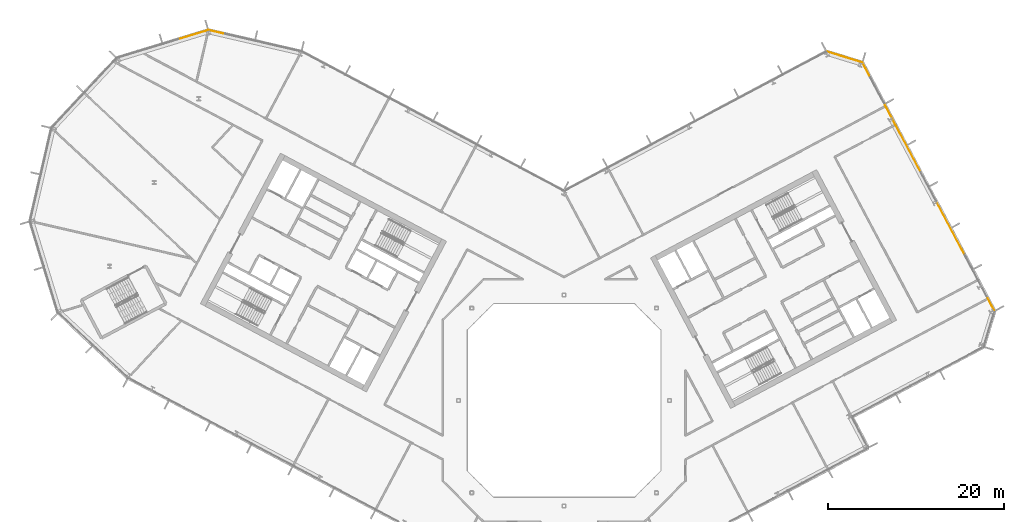
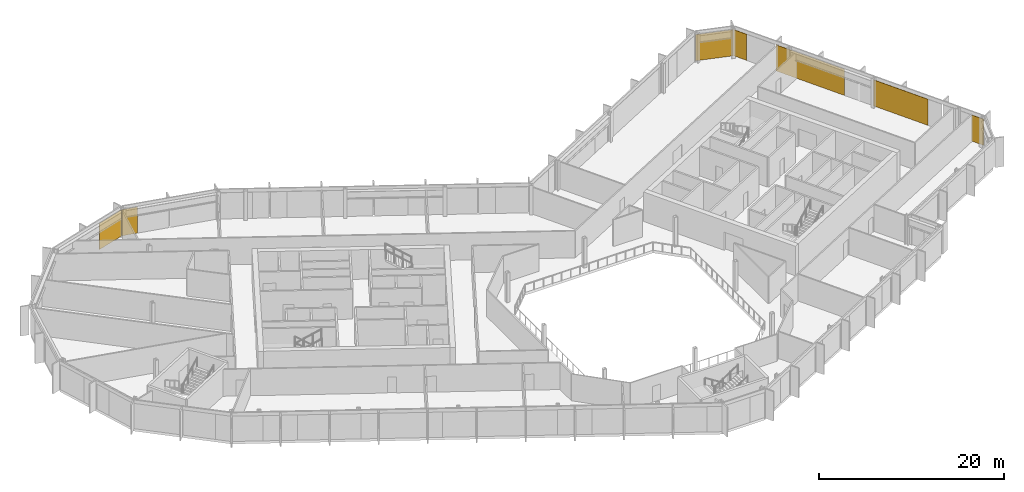
# One storey, part 27 of 27: 7 coverings, 4 elements without a shape of their own.
"""IFC4 building model written with IfcOpenShell, lengths in metres."""

import ifcopenshell
import ifcopenshell.guid

model = None  # the IFC model being written
_history = None  # IfcOwnerHistory: only IFC2X3 demands one
_inside = {}  # id of a spatial element -> (the spatial element, [elements in it])
_under = {}  # id of a project, library or spatial element -> (it, [spatial elements below it])
_declared = {}  # id of a project -> (the project, [libraries it declares])
_typed = {}  # id of a type object -> (the type object, [elements of that type])
_made_of = {}  # id of a material, layer set ... -> (it, [elements and type objects made of it])


def new_model(schema):
    """Start an empty IFC model of exactly this schema.

    Asked for "IFC4X3", IfcOpenShell would pick the latest addendum, in which some entities
    have other attributes; the version numbers below select the first issue.
    IFC2X3 requires an IfcOwnerHistory on every rooted entity: one is made here for all.
    """
    global model, _history
    if schema == "IFC4X3":
        model = ifcopenshell.file(schema_version=(4, 3, 0, 0))
    else:
        model = ifcopenshell.file(schema=schema)
    _inside.clear()
    _under.clear()
    _declared.clear()
    _typed.clear()
    _made_of.clear()
    _history = None
    if model.schema == "IFC2X3":
        org = make("IfcOrganization", Name="unknown")
        user = make(
            "IfcPersonAndOrganization",
            ThePerson=make("IfcPerson", FamilyName="unknown"),
            TheOrganization=org,
        )
        app = make(
            "IfcApplication",
            ApplicationDeveloper=org,
            Version="unknown",
            ApplicationFullName="unknown",
            ApplicationIdentifier="unknown",
        )
        _history = make(
            "IfcOwnerHistory",
            OwningUser=user,
            OwningApplication=app,
            ChangeAction="ADDED",
            CreationDate=0,
        )
    return model


def make(cls, **values):
    """One entity of the class cls with the attributes given. An attribute that is None is left unset."""
    return model.create_entity(
        cls, **{name: value for name, value in values.items() if value is not None}
    )


def rooted(cls, **values):
    """An entity with a GlobalId (a new one), such as an element, a storey or a relation."""
    return make(cls, GlobalId=ifcopenshell.guid.new(), OwnerHistory=_history, **values)


def si_unit(unit_type, name, prefix=None):
    """IfcSIUnit, for example si_unit("LENGTHUNIT", "METRE", prefix="MILLI")."""
    return make("IfcSIUnit", UnitType=unit_type, Prefix=prefix, Name=name)


def assignment(units):
    """IfcUnitAssignment: the units of a project."""
    return None if units is None else make("IfcUnitAssignment", Units=units)


def point(xyz):
    """IfcCartesianPoint."""
    return None if xyz is None else make("IfcCartesianPoint", Coordinates=xyz)


def direction(xyz):
    """IfcDirection."""
    return None if xyz is None else make("IfcDirection", DirectionRatios=xyz)


def frame(location, z_axis=None, x_axis=None):
    """IfcAxis2Placement3D, a coordinate frame: its origin and axes. An axis left out is left unset."""
    return make(
        "IfcAxis2Placement3D",
        Location=point(location),
        Axis=direction(z_axis),
        RefDirection=direction(x_axis),
    )


def frame_2d(location, x_axis=None):
    """IfcAxis2Placement2D, a coordinate frame in the plane: its origin and x axis."""
    return make(
        "IfcAxis2Placement2D", Location=point(location), RefDirection=direction(x_axis)
    )


def origin():
    """The frame at (0, 0, 0) with its axes left unset."""
    return frame((0.0, 0.0, 0.0))


def origin_2d():
    """The frame at (0, 0) in the plane with its x axis left unset."""
    return frame_2d((0.0, 0.0))


def place(relative_to, where):
    """IfcLocalPlacement: puts the frame where relative to a parent placement (None: the world)."""
    return make(
        "IfcLocalPlacement", PlacementRelTo=relative_to, RelativePlacement=where
    )


def context(
    kind, dimensions, precision=None, world=None, true_north=None, identifier=None
):
    """IfcGeometricRepresentationContext, for example the 3D "Model" context."""
    return make(
        "IfcGeometricRepresentationContext",
        ContextIdentifier=identifier,
        ContextType=kind,
        CoordinateSpaceDimension=dimensions,
        Precision=precision,
        WorldCoordinateSystem=world,
        TrueNorth=true_north,
    )


def subcontext(parent, identifier, kind, view, scale=None):
    """IfcGeometricRepresentationSubContext, for example "Body" below "Model"."""
    return make(
        "IfcGeometricRepresentationSubContext",
        ContextIdentifier=identifier,
        ContextType=kind,
        ParentContext=parent,
        TargetScale=scale,
        TargetView=view,
    )


def project(units=None, contexts=None):
    """IfcProject with its units and contexts."""
    return rooted(
        "IfcProject",
        Name="project",
        RepresentationContexts=contexts,
        UnitsInContext=assignment(units),
    )


def spatial(cls, under=None, at=None, **own):
    """A site, building, storey or space (cls), placed at a placement, below another one or the project."""
    s = rooted(cls, ObjectPlacement=at, **own)
    if under is not None:
        _under.setdefault(under.id(), (under, []))[1].append(s)
    return s


def profile(cls, at=None, kind="AREA", **sizes):
    """A parametric profile (cls). Its sizes go by their IFC names, for example OverallWidth=200.0."""
    return make(cls, ProfileType=kind, Position=at, **sizes)


def rectangle(**sizes):
    """IfcRectangleProfileDef."""
    return profile("IfcRectangleProfileDef", **sizes)


def extrude(swept, where, along, depth):
    """IfcExtrudedAreaSolid: the profile swept, set in the frame where, extruded along a direction by depth."""
    return make(
        "IfcExtrudedAreaSolid",
        SweptArea=swept,
        Position=where,
        ExtrudedDirection=direction(along),
        Depth=depth,
    )


def shape(context_of_items, identifier, shape_type, items):
    """IfcShapeRepresentation: the items that make up one representation, for example the "Body"."""
    return make(
        "IfcShapeRepresentation",
        ContextOfItems=context_of_items,
        RepresentationIdentifier=identifier,
        RepresentationType=shape_type,
        Items=items,
    )


def material(Name=None, Category=None):
    """IfcMaterial."""
    return make("IfcMaterial", Name=Name, Category=Category)


def layer(
    of_material, thickness, ventilated=None, Name=None, Category=None, Priority=None
):
    """IfcMaterialLayer: one layer of a wall or slab, of a material (None: an air gap)."""
    return make(
        "IfcMaterialLayer",
        Material=of_material,
        LayerThickness=thickness,
        IsVentilated=ventilated,
        Name=Name,
        Category=Category,
        Priority=Priority,
    )


def layer_set(layers, Name=None):
    """IfcMaterialLayerSet."""
    return make("IfcMaterialLayerSet", MaterialLayers=layers, LayerSetName=Name)


def made_of(thing, what):
    """Note that an element or type object is made of a material, layer set ...; save() writes the relation."""
    if what is not None:
        _made_of.setdefault(what.id(), (what, []))[1].append(thing)
    return thing


def type_object(cls, material=None, **own):
    """A type object (cls), such as IfcWallType, which elements share."""
    return made_of(rooted(cls, **own), material)


def element(
    cls,
    number,
    at=None,
    inside=None,
    cuts=None,
    type_object=None,
    material=None,
    context=None,
    identifier="Body",
    shape_type=None,
    held_by="IfcProductDefinitionShape",
    body=None,
    shapes=None,
    **own,
):
    """One element of the class cls, such as IfcWall. Its Tag is "e" and its number.

    at: its placement. inside: the storey or other place that contains it. cuts: it is an
    opening in that element (IfcRelVoidsElement). A single representation is given by context,
    identifier, shape_type and body (its items); several are given by shapes. held_by: the class
    of the entity that holds the representations. save() writes the other relations.
    """
    e = rooted(cls, Tag="e%d" % number, ObjectPlacement=at, **own)
    if body is not None:
        shapes = [shape(context, identifier, shape_type, body)]
    if shapes is not None:
        e.Representation = make(held_by, Representations=shapes)
    if inside is not None:
        _inside.setdefault(inside.id(), (inside, []))[1].append(e)
    if cuts is not None:
        rooted(
            "IfcRelVoidsElement", RelatingBuildingElement=cuts, RelatedOpeningElement=e
        )
    if type_object is not None:
        _typed.setdefault(type_object.id(), (type_object, []))[1].append(e)
    return made_of(e, material)


def aggregate(whole, parts):
    """IfcRelAggregates: a whole, such as a stair, and the parts it consists of."""
    return rooted("IfcRelAggregates", RelatingObject=whole, RelatedObjects=parts)


def save(model, path):
    """Write the relations noted so far, then the file.

    IfcRelAggregates (storeys below a building ...), IfcRelContainedInSpatialStructure (elements
    in a storey), IfcRelDefinesByType, IfcRelAssociatesMaterial and IfcRelDeclares: one each for
    every whole, place, type object, material and project.
    """
    for whole, parts in _under.values():
        aggregate(whole, parts)
    for where, things in _inside.values():
        rooted(
            "IfcRelContainedInSpatialStructure",
            RelatedElements=things,
            RelatingStructure=where,
        )
    for kind, things in _typed.values():
        rooted("IfcRelDefinesByType", RelatedObjects=things, RelatingType=kind)
    for what, things in _made_of.values():
        rooted("IfcRelAssociatesMaterial", RelatedObjects=things, RelatingMaterial=what)
    for by, libraries in _declared.values():
        rooted("IfcRelDeclares", RelatingContext=by, RelatedDefinitions=libraries)
    model.write(path)


model = new_model("IFC4")

# Units and contexts
model_context = context("Model", 3, precision=1e-05, world=origin(), true_north=direction((0.0, 1.0)))
body_context = subcontext(model_context, "Body", "Model", "MODEL_VIEW")
ifc_project = project(units=[si_unit("LENGTHUNIT", "METRE"), si_unit("AREAUNIT", "SQUARE_METRE"), si_unit("VOLUMEUNIT", "CUBIC_METRE"), si_unit("PLANEANGLEUNIT", "RADIAN"), si_unit("MASSUNIT", "GRAM", prefix="KILO")], contexts=[model_context])

# Site, building, storey
site_placement = place(None, origin())
site = spatial("IfcSite", under=ifc_project, at=site_placement, CompositionType="ELEMENT")
building_placement = place(site_placement, origin())
building = spatial("IfcBuilding", under=site, at=building_placement, Name="Cormorant Relay Tower", CompositionType="ELEMENT")
storey_placement = place(building_placement, frame((0.0, 0.0, 209.10009765625)))
storey = spatial("IfcBuildingStorey", under=building, at=storey_placement, Name="L45", CompositionType="ELEMENT", Elevation=209.10009765625)

# Curtain wall, coverings
ifc_material_1 = material(Name="Aluminium 6063-T6 anodised bronze", Category="aluminium")
ifc_layer_1 = layer(ifc_material_1, 0.199951171875)
ifc_layer_set_1 = layer_set([ifc_layer_1], Name="CW1 unitised bronze curtain wall with vertical fins")
curtain_wall_type = type_object("IfcCurtainWallType", Name="CW1 unitised bronze curtain wall with vertical fins", PredefinedType="NOTDEFINED", material=ifc_layer_set_1)
curtain_wall_1_placement = place(storey_placement, origin())
curtain_wall_1 = element("IfcCurtainWall", 1, at=curtain_wall_1_placement, inside=storey, type_object=curtain_wall_type, Name="CW1 curtain wall 6", PredefinedType="NOTDEFINED")
ifc_material_2 = material(Name="Pale bronze anodised aluminium insulated panel", Category="aluminium")
ifc_layer_2 = layer(ifc_material_2, 0.0400390625)
ifc_layer_set_2 = layer_set([ifc_layer_2], Name="CW1 pale bronze insulated panel 40")
covering_type = type_object("IfcCoveringType", Name="CW1 pale bronze insulated panel 40", PredefinedType="CLADDING", material=ifc_layer_set_2)
covering_1_placement = place(storey_placement, frame((48.56494140625, 10.947998046875, 0.0), z_axis=(0.0, 0.0, 1.0), x_axis=(-0.469471562786, 0.882947592859, 0.0)))
covering_1 = element("IfcCovering", 2, at=covering_1_placement, type_object=covering_type, Name="CW1 panel S00", PredefinedType="CLADDING", context=body_context, shape_type="SweptSolid", body=[
    extrude(rectangle(XDim=1.583251953125, YDim=0.0400390625, at=origin_2d()), origin(), (0.0, 0.0, 1.0), 3.449951171875),
])
covering_2_placement = place(storey_placement, frame((43.964111328125, 19.600830078125, 0.0), z_axis=(0.0, 0.0, 1.0), x_axis=(-0.469471562786, 0.882947592859, 0.0)))
covering_2 = element("IfcCovering", 3, at=covering_2_placement, type_object=covering_type, Name="CW1 panel S03", PredefinedType="CLADDING", context=body_context, shape_type="SweptSolid", body=[
    extrude(rectangle(XDim=6.916748046875, YDim=0.0400390625, at=origin_2d()), origin(), (0.0, 0.0, 1.0), 3.449951171875),
])
covering_3_placement = place(storey_placement, frame((38.53369140625, 29.813720703125, 0.0), z_axis=(0.0, 0.0, 1.0), x_axis=(-0.469471562786, 0.882947592859, 0.0)))
covering_3 = element("IfcCovering", 4, at=covering_3_placement, type_object=covering_type, Name="CW1 panel S06", PredefinedType="CLADDING", context=body_context, shape_type="SweptSolid", body=[
    extrude(rectangle(XDim=8.716796875, YDim=0.0400390625, at=origin_2d()), origin(), (0.0, 0.0, 1.0), 3.449951171875),
])
covering_4_placement = place(storey_placement, frame((34.337890625, 37.705078125, 0.0), z_axis=(0.0, 0.0, 1.0), x_axis=(-0.469471562786, 0.882947592859, 0.0)))
covering_4 = element("IfcCovering", 5, at=covering_4_placement, type_object=covering_type, Name="CW1 panel S08", PredefinedType="CLADDING", context=body_context, shape_type="SweptSolid", body=[
    extrude(rectangle(XDim=1.658203125, YDim=0.0400390625, at=origin_2d()), origin(), (0.0, 0.0, 1.0), 3.449951171875),
])
aggregate(curtain_wall_1, [covering_1, covering_2, covering_3, covering_4])

# Curtain wall, covering
curtain_wall_2_placement = place(storey_placement, origin())
curtain_wall_2 = element("IfcCurtainWall", 6, at=curtain_wall_2_placement, inside=storey, type_object=curtain_wall_type, Name="CW1 curtain wall 7", PredefinedType="NOTDEFINED")
covering_5_placement = place(storey_placement, frame((31.872314453125, 39.077880859375, 0.0), z_axis=(0.0, 0.0, 1.0), x_axis=(-0.956304755963, 0.292371704723, 0.0)))
covering_5 = element("IfcCovering", 7, at=covering_5_placement, type_object=covering_type, Name="CW1 panel S00", PredefinedType="CLADDING", context=body_context, shape_type="SweptSolid", body=[
    extrude(rectangle(XDim=4.16748046875, YDim=0.0400390625, at=origin_2d()), origin(), (0.0, 0.0, 1.0), 3.449951171875),
])
aggregate(curtain_wall_2, [covering_5])

curtain_wall_3_placement = place(storey_placement, origin())
curtain_wall_3 = element("IfcCurtainWall", 8, at=curtain_wall_3_placement, inside=storey, type_object=curtain_wall_type, Name="CW1 curtain wall 10", PredefinedType="NOTDEFINED")
covering_6_placement = place(storey_placement, frame((-39.603515625, 41.934814453125, 0.0), z_axis=(0.0, 0.0, 1.0), x_axis=(-0.974370064785, 0.224951054344, 0.0)))
covering_6 = element("IfcCovering", 9, at=covering_6_placement, type_object=covering_type, Name="CW1 panel S02", PredefinedType="CLADDING", context=body_context, shape_type="SweptSolid", body=[
    extrude(rectangle(XDim=1.76025390625, YDim=0.0400390625, at=origin_2d()), origin(), (0.0, 0.0, 1.0), 3.449951171875),
])
aggregate(curtain_wall_3, [covering_6])

curtain_wall_4_placement = place(storey_placement, origin())
curtain_wall_4 = element("IfcCurtainWall", 10, at=curtain_wall_4_placement, inside=storey, type_object=curtain_wall_type, Name="CW1 curtain wall 11", PredefinedType="NOTDEFINED")
covering_7_placement = place(storey_placement, frame((-42.209716796875, 41.60107421875, 0.0), z_axis=(0.0, 0.0, 1.0), x_axis=(-0.956304755963, -0.292371704723, 0.0)))
covering_7 = element("IfcCovering", 11, at=covering_7_placement, type_object=covering_type, Name="CW1 panel S00", PredefinedType="CLADDING", context=body_context, shape_type="SweptSolid", body=[
    extrude(rectangle(XDim=3.485107421875, YDim=0.0400390625, at=origin_2d()), origin(), (0.0, 0.0, 1.0), 3.449951171875),
])
aggregate(curtain_wall_4, [covering_7])

save(model, "model.ifc")
